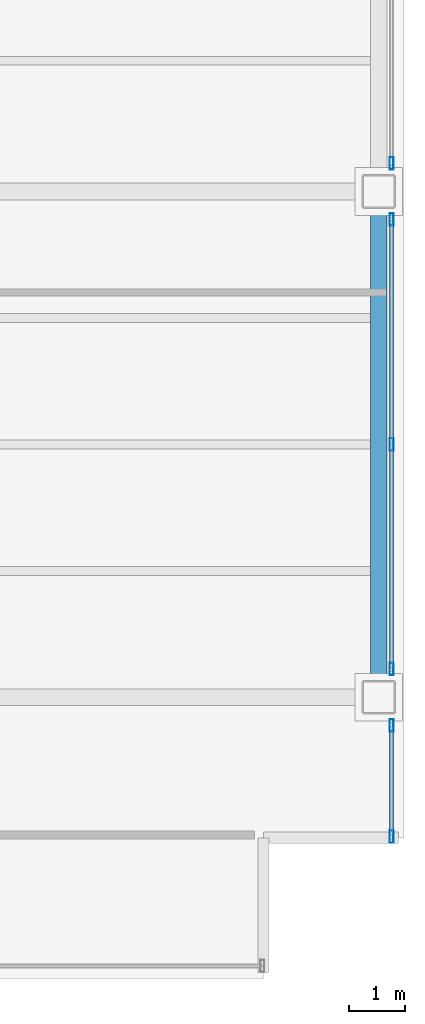
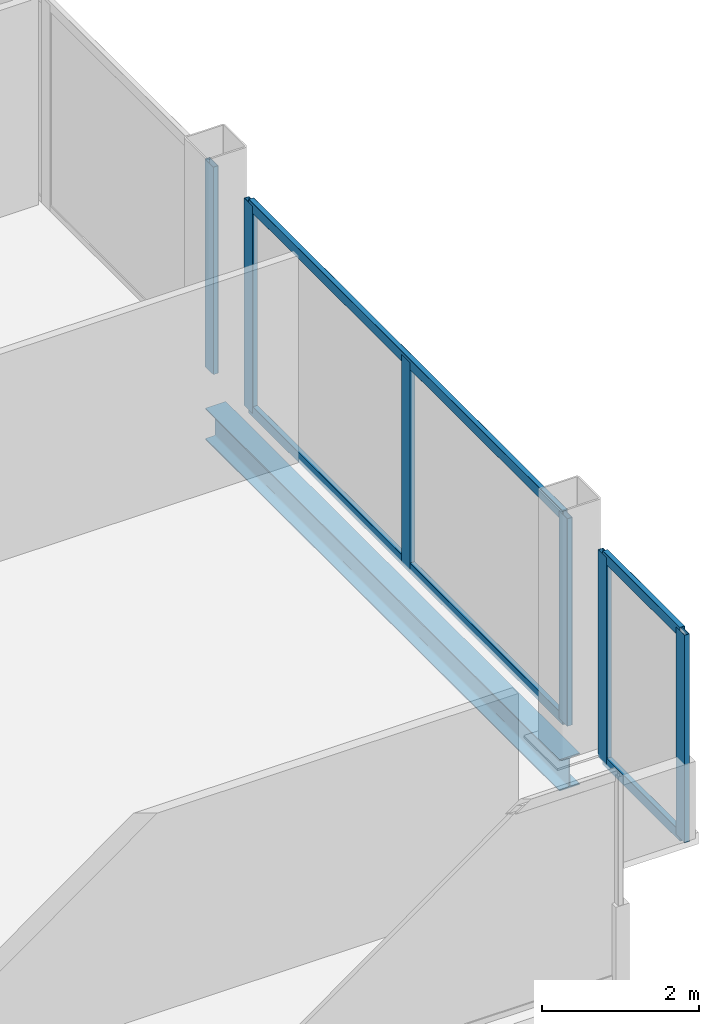
# One storey, part 10 of 20: 10 members, 1 beam, 3 elements without a shape of their own.
"""IFC4 building model written with IfcOpenShell, lengths in metres."""

from ifc_helpers import new_model, si_unit, direction, frame, origin, origin_2d, place, context, subcontext, project, spatial, hollow_rectangle, i_section, extrude, material, material_profile, profile_set, type_object, element, aggregate, save


model = new_model("IFC4")

# Units and contexts
model_context = context("Model", 3, precision=1e-05, world=origin(), true_north=direction((0.0, 1.0)))
body_context = subcontext(model_context, "Body", "Model", "MODEL_VIEW")
ifc_project = project(units=[si_unit("LENGTHUNIT", "METRE"), si_unit("AREAUNIT", "SQUARE_METRE"), si_unit("VOLUMEUNIT", "CUBIC_METRE"), si_unit("PLANEANGLEUNIT", "RADIAN"), si_unit("MASSUNIT", "GRAM", prefix="KILO")], contexts=[model_context])

# Site, building, storey
site_placement = place(None, origin())
site = spatial("IfcSite", under=ifc_project, at=site_placement, CompositionType="ELEMENT")
building_placement = place(site_placement, origin())
building = spatial("IfcBuilding", under=site, at=building_placement, Name="Noeulbin Bourse Tower", CompositionType="ELEMENT")
storey_placement = place(building_placement, frame((0.0, 0.0, 57.699951171875)))
storey = spatial("IfcBuildingStorey", under=building, at=storey_placement, Name="L14", CompositionType="ELEMENT", Elevation=57.699951171875)

# Beam
ifc_material_1 = material(Name="Steel S355", Category="steel")
ifc_material_profile_1 = material_profile(ifc_material_1, i_section(OverallWidth=0.300048828125, OverallDepth=0.488037109375, WebThickness=0.010986328125, FlangeThickness=0.01806640625, FilletRadius=0.02197265625, at=origin_2d()), Name="H-488x300x11x18", Category="LoadBearing")
ifc_profile_set_1 = profile_set([ifc_material_profile_1], Name="Steel S355")
beam_type = type_object("IfcBeamType", Name="BM-SPN-488", PredefinedType="SPANDREL", material=ifc_profile_set_1)
beam_placement = place(storey_placement, frame((57.050048828125, 20.0, -0.424072265625), z_axis=(0.0, 1.0, 0.0), x_axis=(-1.0, 0.0, 0.0)))
element("IfcBeam", 1, at=beam_placement, inside=storey, type_object=beam_type, Name="East Spandrel L14-1", PredefinedType="SPANDREL", context=body_context, shape_type="SweptSolid", body=[
    extrude(i_section(OverallWidth=0.300048828125, OverallDepth=0.488037109375, WebThickness=0.010986328125, FlangeThickness=0.01806640625, FilletRadius=0.02197265625, at=origin_2d()), origin(), (0.0, 0.0, 1.0), 9.0),
])

# Curtain wall, members
ifc_material_2 = material(Name="Dark Solar-Control Double Glazing", Category="glass")
curtain_wall_type = type_object("IfcCurtainWallType", Name="CW-SYS-2", PredefinedType="NOTDEFINED", material=ifc_material_2)
curtain_wall_1_placement = place(storey_placement, origin())
curtain_wall_1 = element("IfcCurtainWall", 2, at=curtain_wall_1_placement, inside=storey, type_object=curtain_wall_type, Name="Unitised Curtain Wall CW-L14-E-S1", PredefinedType="NOTDEFINED")
ifc_material_3 = material(Name="Anodised Aluminium 6063-T6", Category="aluminium")
ifc_material_profile_2 = material_profile(ifc_material_3, hollow_rectangle(XDim=0.074951171875, YDim=0.219970703125, WallThickness=0.0048828125, InnerFilletRadius=0.00244140625, OuterFilletRadius=0.0048828125, at=origin_2d()), Name="ALU-MULL-75x220x5", Category="LoadBearing")
ifc_profile_set_2 = profile_set([ifc_material_profile_2], Name="Anodised Aluminium 6063-T6")
member_type_1 = type_object("IfcMemberType", Name="CW-SYS-2-MUL", PredefinedType="MULLION", material=ifc_profile_set_2)
member_1_placement = place(storey_placement, frame((57.280029296875, 17.52001953125, -0.02001953125), z_axis=(0.0, 0.0, 1.0), x_axis=(1.0, 0.0, 0.0)))
member_1 = element("IfcMember", 3, at=member_1_placement, type_object=member_type_1, Name="Curtain Wall Mullion CW-L14-E-S1-M00", PredefinedType="MULLION", context=body_context, shape_type="SweptSolid", body=[
    extrude(hollow_rectangle(XDim=0.074951171875, YDim=0.219970703125, WallThickness=0.0048828125, InnerFilletRadius=0.00244140625, OuterFilletRadius=0.0048828125, at=origin_2d()), origin(), (0.0, 0.0, 1.0), 3.219970703125),
])
member_2_placement = place(storey_placement, frame((57.280029296875, 19.5, -0.02001953125), z_axis=(0.0, 0.0, 1.0), x_axis=(1.0, 0.0, 0.0)))
member_2 = element("IfcMember", 4, at=member_2_placement, type_object=member_type_1, Name="Curtain Wall Mullion CW-L14-E-S1-M01", PredefinedType="MULLION", context=body_context, shape_type="SweptSolid", body=[
    extrude(hollow_rectangle(XDim=0.074951171875, YDim=0.219970703125, WallThickness=0.0048828125, InnerFilletRadius=0.00244140625, OuterFilletRadius=0.0048828125, at=origin_2d()), origin(), (0.0, 0.0, 1.0), 3.219970703125),
])

curtain_wall_2_placement = place(storey_placement, origin())
curtain_wall_2 = element("IfcCurtainWall", 5, at=curtain_wall_2_placement, inside=storey, type_object=curtain_wall_type, Name="Unitised Curtain Wall CW-L14-E-S2", PredefinedType="NOTDEFINED")
member_3_placement = place(storey_placement, frame((57.280029296875, 20.5, -0.02001953125), z_axis=(0.0, 0.0, 1.0), x_axis=(1.0, 0.0, 0.0)))
member_3 = element("IfcMember", 6, at=member_3_placement, type_object=member_type_1, Name="Curtain Wall Mullion CW-L14-E-S2-M00", PredefinedType="MULLION", context=body_context, shape_type="SweptSolid", body=[
    extrude(hollow_rectangle(XDim=0.074951171875, YDim=0.219970703125, WallThickness=0.0048828125, InnerFilletRadius=0.00244140625, OuterFilletRadius=0.0048828125, at=origin_2d()), origin(), (0.0, 0.0, 1.0), 3.219970703125),
])
member_4_placement = place(storey_placement, frame((57.280029296875, 24.5, -0.02001953125), z_axis=(0.0, 0.0, 1.0), x_axis=(1.0, 0.0, 0.0)))
member_4 = element("IfcMember", 7, at=member_4_placement, type_object=member_type_1, Name="Curtain Wall Mullion CW-L14-E-S2-M01", PredefinedType="MULLION", context=body_context, shape_type="SweptSolid", body=[
    extrude(hollow_rectangle(XDim=0.074951171875, YDim=0.219970703125, WallThickness=0.0048828125, InnerFilletRadius=0.00244140625, OuterFilletRadius=0.0048828125, at=origin_2d()), origin(), (0.0, 0.0, 1.0), 3.219970703125),
])
member_5_placement = place(storey_placement, frame((57.280029296875, 28.5, -0.02001953125), z_axis=(0.0, 0.0, 1.0), x_axis=(1.0, 0.0, 0.0)))
member_5 = element("IfcMember", 8, at=member_5_placement, type_object=member_type_1, Name="Curtain Wall Mullion CW-L14-E-S2-M02", PredefinedType="MULLION", context=body_context, shape_type="SweptSolid", body=[
    extrude(hollow_rectangle(XDim=0.074951171875, YDim=0.219970703125, WallThickness=0.0048828125, InnerFilletRadius=0.00244140625, OuterFilletRadius=0.0048828125, at=origin_2d()), origin(), (0.0, 0.0, 1.0), 3.219970703125),
])

# Curtain wall, member
curtain_wall_3_placement = place(storey_placement, origin())
curtain_wall_3 = element("IfcCurtainWall", 9, at=curtain_wall_3_placement, inside=storey, type_object=curtain_wall_type, Name="Unitised Curtain Wall CW-L14-E-S3", PredefinedType="NOTDEFINED")
member_6_placement = place(storey_placement, frame((57.280029296875, 29.5, -0.02001953125), z_axis=(0.0, 0.0, 1.0), x_axis=(1.0, 0.0, 0.0)))
member_6 = element("IfcMember", 10, at=member_6_placement, type_object=member_type_1, Name="Curtain Wall Mullion CW-L14-E-S3-M00", PredefinedType="MULLION", context=body_context, shape_type="SweptSolid", body=[
    extrude(hollow_rectangle(XDim=0.074951171875, YDim=0.219970703125, WallThickness=0.0048828125, InnerFilletRadius=0.00244140625, OuterFilletRadius=0.0048828125, at=origin_2d()), origin(), (0.0, 0.0, 1.0), 3.219970703125),
])
aggregate(curtain_wall_3, [member_6])

# Member
ifc_material_profile_3 = material_profile(ifc_material_3, hollow_rectangle(XDim=0.074951171875, YDim=0.159912109375, WallThickness=0.0048828125, InnerFilletRadius=0.00244140625, OuterFilletRadius=0.0048828125, at=origin_2d()), Name="ALU-TRAN-75x160x5", Category="LoadBearing")
ifc_profile_set_3 = profile_set([ifc_material_profile_3], Name="Anodised Aluminium 6063-T6")
member_type_2 = type_object("IfcMemberType", Name="CW-SYS-2-TRN", PredefinedType="USERDEFINED", material=ifc_profile_set_3)
member_7_placement = place(storey_placement, frame((57.280029296875, 17.530029296875, 0.010009765625), z_axis=(0.0, 1.0, 0.0), x_axis=(-1.0, 0.0, 0.0)))
member_7 = element("IfcMember", 11, at=member_7_placement, type_object=member_type_2, Name="Curtain Wall Transom CW-L14-E-S1-T00", ObjectType="TRANSOM", PredefinedType="USERDEFINED", context=body_context, shape_type="SweptSolid", body=[
    extrude(hollow_rectangle(XDim=0.074951171875, YDim=0.159912109375, WallThickness=0.0048828125, InnerFilletRadius=0.00244140625, OuterFilletRadius=0.0048828125, at=origin_2d()), origin(), (0.0, 0.0, 1.0), 1.9599609375),
])

member_8_placement = place(storey_placement, frame((57.280029296875, 17.530029296875, 3.170166015625), z_axis=(0.0, 1.0, 0.0), x_axis=(-1.0, 0.0, 0.0)))
member_8 = element("IfcMember", 12, at=member_8_placement, type_object=member_type_2, Name="Curtain Wall Transom CW-L14-E-S1-T01", ObjectType="TRANSOM", PredefinedType="USERDEFINED", context=body_context, shape_type="SweptSolid", body=[
    extrude(hollow_rectangle(XDim=0.074951171875, YDim=0.159912109375, WallThickness=0.0048828125, InnerFilletRadius=0.00244140625, OuterFilletRadius=0.0048828125, at=origin_2d()), origin(), (0.0, 0.0, 1.0), 1.9599609375),
])

aggregate(curtain_wall_1, [member_1, member_2, member_7, member_8])

member_9_placement = place(storey_placement, frame((57.280029296875, 20.510009765625, 0.010009765625), z_axis=(0.0, 1.0, 0.0), x_axis=(-1.0, 0.0, 0.0)))
member_9 = element("IfcMember", 13, at=member_9_placement, type_object=member_type_2, Name="Curtain Wall Transom CW-L14-E-S2-T00", ObjectType="TRANSOM", PredefinedType="USERDEFINED", context=body_context, shape_type="SweptSolid", body=[
    extrude(hollow_rectangle(XDim=0.074951171875, YDim=0.159912109375, WallThickness=0.0048828125, InnerFilletRadius=0.00244140625, OuterFilletRadius=0.0048828125, at=origin_2d()), origin(), (0.0, 0.0, 1.0), 7.97998046875),
])

member_10_placement = place(storey_placement, frame((57.280029296875, 20.510009765625, 3.170166015625), z_axis=(0.0, 1.0, 0.0), x_axis=(-1.0, 0.0, 0.0)))
member_10 = element("IfcMember", 14, at=member_10_placement, type_object=member_type_2, Name="Curtain Wall Transom CW-L14-E-S2-T01", ObjectType="TRANSOM", PredefinedType="USERDEFINED", context=body_context, shape_type="SweptSolid", body=[
    extrude(hollow_rectangle(XDim=0.074951171875, YDim=0.159912109375, WallThickness=0.0048828125, InnerFilletRadius=0.00244140625, OuterFilletRadius=0.0048828125, at=origin_2d()), origin(), (0.0, 0.0, 1.0), 7.97998046875),
])

aggregate(curtain_wall_2, [member_3, member_4, member_5, member_9, member_10])

save(model, "model.ifc")
